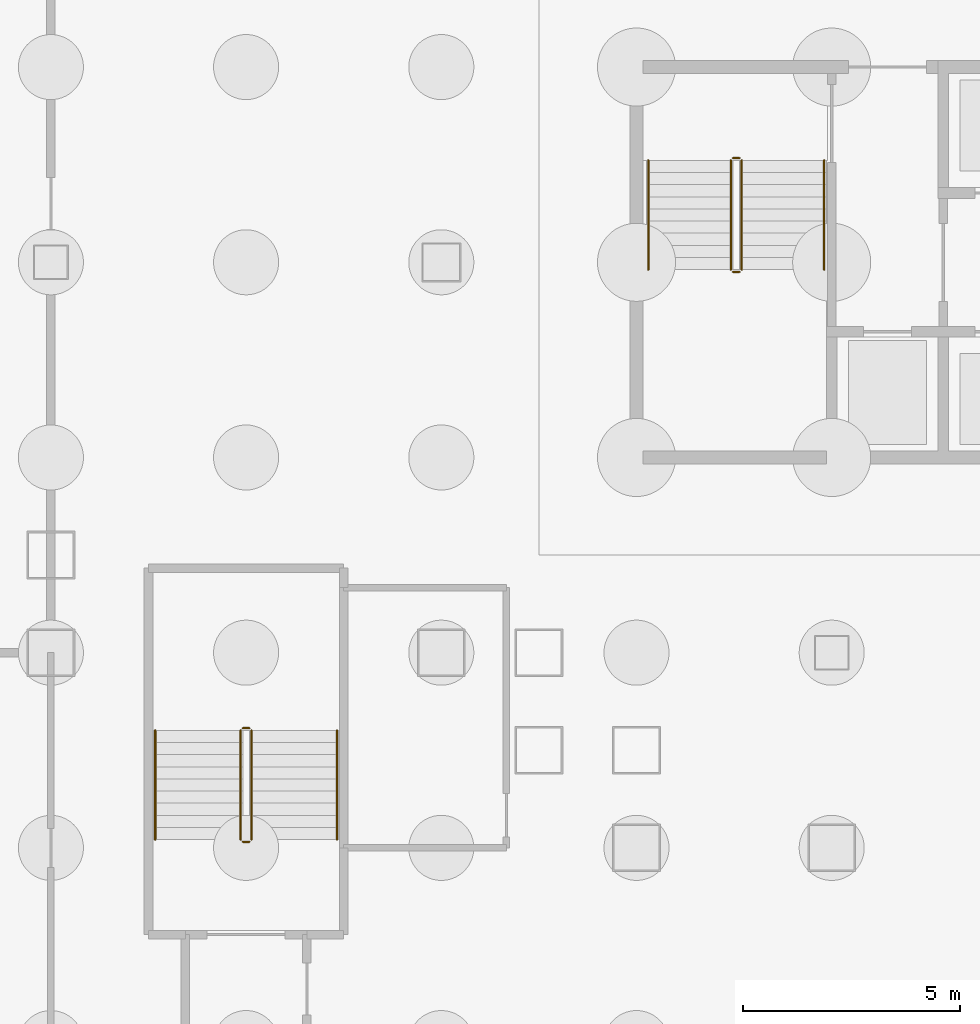
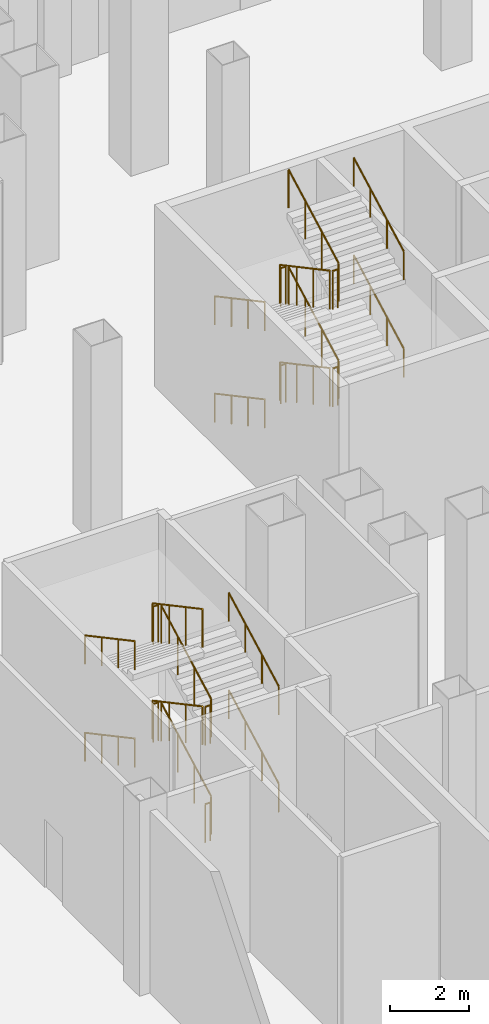
# One storey, part 20 of 25: 24 railings.
"""IFC4 building model written with IfcOpenShell, lengths in metres."""

from ifc_helpers import new_model, si_unit, direction, frame, origin, origin_2d, place, context, subcontext, project, spatial, circle, extrude, material, type_object, element, save


model = new_model("IFC4")

# Units and contexts
model_context = context("Model", 3, precision=1e-05, world=origin(), true_north=direction((0.0, 1.0)))
body_context = subcontext(model_context, "Body", "Model", "MODEL_VIEW")
ifc_project = project(units=[si_unit("LENGTHUNIT", "METRE"), si_unit("AREAUNIT", "SQUARE_METRE"), si_unit("VOLUMEUNIT", "CUBIC_METRE"), si_unit("PLANEANGLEUNIT", "RADIAN"), si_unit("MASSUNIT", "GRAM", prefix="KILO")], contexts=[model_context])

# Site, building, storey
site_placement = place(None, origin())
site = spatial("IfcSite", under=ifc_project, at=site_placement, CompositionType="ELEMENT")
building_placement = place(site_placement, origin())
building = spatial("IfcBuilding", under=site, at=building_placement, Name="Caravel Reach Hotel and Residences", CompositionType="ELEMENT")
storey_placement = place(building_placement, frame((0.0, 0.0, -6.0)))
storey = spatial("IfcBuildingStorey", under=building, at=storey_placement, Name="B1", CompositionType="ELEMENT", Elevation=-6.0)

# Railings
ifc_material_1 = material(Name="Steel balustrade with glass infill", Category="steel")
railing_type_1 = type_object("IfcRailingType", Name="Guard 1200", PredefinedType="GUARDRAIL", material=ifc_material_1)
railing_1_placement = place(storey_placement, frame((20.175048828125, 29.35009765625, 0.14990234375)))
element("IfcRailing", 1, at=railing_1_placement, inside=storey, type_object=railing_type_1, Name="B1 ST-A stair guard 1", PredefinedType="GUARDRAIL", context=body_context, shape_type="SweptSolid", body=[
    extrude(circle(Radius=0.02392578125, at=origin_2d()), frame((0.0, 0.0, 1.17578125), z_axis=(0.0, -0.881467274426, 0.472245110209), x_axis=(1.0, 0.0, 0.0)), (0.0, 0.0, 1.0), 2.85888671875),
    extrude(circle(Radius=0.02099609375, at=origin_2d()), origin(), (0.0, 0.0, 1.0), 1.15185546875),
    extrude(circle(Radius=0.02099609375, at=origin_2d()), frame((0.0, -0.840087890625, 0.449951171875)), (0.0, 0.0, 1.0), 1.15185546875),
    extrude(circle(Radius=0.02099609375, at=origin_2d()), frame((0.0, -1.679931640625, 0.900146484375)), (0.0, 0.0, 1.0), 1.15185546875),
    extrude(circle(Radius=0.02099609375, at=origin_2d()), frame((0.0, -2.52001953125, 1.35009765625)), (0.0, 0.0, 1.0), 1.15185546875),
])
railing_2_placement = place(storey_placement, frame((20.22509765625, 26.780029296875, 1.5)))
element("IfcRailing", 2, at=railing_2_placement, inside=storey, type_object=railing_type_1, Name="B1 ST-A stair guard 2", PredefinedType="GUARDRAIL", context=body_context, shape_type="SweptSolid", body=[
    extrude(circle(Radius=0.02392578125, at=origin_2d()), frame((0.0, 0.0, 1.17578125), z_axis=(1.0, 0.0, 0.0), x_axis=(0.0, 1.0, 0.0)), (0.0, 0.0, 1.0), 0.14990234375),
    extrude(circle(Radius=0.02099609375, at=origin_2d()), origin(), (0.0, 0.0, 1.0), 1.15185546875),
    extrude(circle(Radius=0.02099609375, at=origin_2d()), frame((0.14990234375, 0.0, 0.0)), (0.0, 0.0, 1.0), 1.15185546875),
])
railing_3_placement = place(storey_placement, frame((20.425048828125, 26.830078125, 1.64990234375)))
element("IfcRailing", 3, at=railing_3_placement, inside=storey, type_object=railing_type_1, Name="B1 ST-A stair guard 3", PredefinedType="GUARDRAIL", context=body_context, shape_type="SweptSolid", body=[
    extrude(circle(Radius=0.02392578125, at=origin_2d()), frame((0.0, 0.0, 1.17578125), z_axis=(0.0, 0.881467274426, 0.472245110209), x_axis=(-1.0, 0.0, 0.0)), (0.0, 0.0, 1.0), 2.85888671875),
    extrude(circle(Radius=0.02099609375, at=origin_2d()), origin(), (0.0, 0.0, 1.0), 1.15185546875),
    extrude(circle(Radius=0.02099609375, at=origin_2d()), frame((0.0, 0.840087890625, 0.449951171875)), (0.0, 0.0, 1.0), 1.15185546875),
    extrude(circle(Radius=0.02099609375, at=origin_2d()), frame((0.0, 1.679931640625, 0.900146484375)), (0.0, 0.0, 1.0), 1.15185546875),
    extrude(circle(Radius=0.02099609375, at=origin_2d()), frame((0.0, 2.52001953125, 1.35009765625)), (0.0, 0.0, 1.0), 1.15185546875),
])
railing_4_placement = place(storey_placement, frame((20.22509765625, 29.39990234375, 3.0)))
element("IfcRailing", 4, at=railing_4_placement, inside=storey, type_object=railing_type_1, Name="B1 ST-A stair guard 4", PredefinedType="GUARDRAIL", context=body_context, shape_type="SweptSolid", body=[
    extrude(circle(Radius=0.02392578125, at=origin_2d()), frame((0.0, 0.0, 1.17578125), z_axis=(1.0, 0.0, 0.0), x_axis=(0.0, 1.0, 0.0)), (0.0, 0.0, 1.0), 0.14990234375),
    extrude(circle(Radius=0.02099609375, at=origin_2d()), origin(), (0.0, 0.0, 1.0), 1.15185546875),
    extrude(circle(Radius=0.02099609375, at=origin_2d()), frame((0.14990234375, 0.0, 0.0)), (0.0, 0.0, 1.0), 1.15185546875),
])
railing_5_placement = place(storey_placement, frame((20.175048828125, 29.35009765625, 3.14990234375)))
element("IfcRailing", 5, at=railing_5_placement, inside=storey, type_object=railing_type_1, Name="B1 ST-A stair guard 5", PredefinedType="GUARDRAIL", context=body_context, shape_type="SweptSolid", body=[
    extrude(circle(Radius=0.02392578125, at=origin_2d()), frame((0.0, 0.0, 1.17578125), z_axis=(0.0, -0.881467274426, 0.472245110209), x_axis=(1.0, 0.0, 0.0)), (0.0, 0.0, 1.0), 2.85888671875),
    extrude(circle(Radius=0.02099609375, at=origin_2d()), origin(), (0.0, 0.0, 1.0), 1.15185546875),
    extrude(circle(Radius=0.02099609375, at=origin_2d()), frame((0.0, -0.840087890625, 0.449951171875)), (0.0, 0.0, 1.0), 1.15185546875),
    extrude(circle(Radius=0.02099609375, at=origin_2d()), frame((0.0, -1.679931640625, 0.900146484375)), (0.0, 0.0, 1.0), 1.15185546875),
    extrude(circle(Radius=0.02099609375, at=origin_2d()), frame((0.0, -2.52001953125, 1.35009765625)), (0.0, 0.0, 1.0), 1.15185546875),
])
railing_6_placement = place(storey_placement, frame((20.22509765625, 26.780029296875, 4.5)))
element("IfcRailing", 6, at=railing_6_placement, inside=storey, type_object=railing_type_1, Name="B1 ST-A stair guard 6", PredefinedType="GUARDRAIL", context=body_context, shape_type="SweptSolid", body=[
    extrude(circle(Radius=0.02392578125, at=origin_2d()), frame((0.0, 0.0, 1.17578125), z_axis=(1.0, 0.0, 0.0), x_axis=(0.0, 1.0, 0.0)), (0.0, 0.0, 1.0), 0.14990234375),
    extrude(circle(Radius=0.02099609375, at=origin_2d()), origin(), (0.0, 0.0, 1.0), 1.15185546875),
    extrude(circle(Radius=0.02099609375, at=origin_2d()), frame((0.14990234375, 0.0, 0.0)), (0.0, 0.0, 1.0), 1.15185546875),
])
railing_7_placement = place(storey_placement, frame((20.425048828125, 26.830078125, 4.64990234375)))
element("IfcRailing", 7, at=railing_7_placement, inside=storey, type_object=railing_type_1, Name="B1 ST-A stair guard 7", PredefinedType="GUARDRAIL", context=body_context, shape_type="SweptSolid", body=[
    extrude(circle(Radius=0.02392578125, at=origin_2d()), frame((0.0, 0.0, 1.17578125), z_axis=(0.0, 0.881467274426, 0.472245110209), x_axis=(-1.0, 0.0, 0.0)), (0.0, 0.0, 1.0), 2.85888671875),
    extrude(circle(Radius=0.02099609375, at=origin_2d()), origin(), (0.0, 0.0, 1.0), 1.15185546875),
    extrude(circle(Radius=0.02099609375, at=origin_2d()), frame((0.0, 0.840087890625, 0.449951171875)), (0.0, 0.0, 1.0), 1.15185546875),
    extrude(circle(Radius=0.02099609375, at=origin_2d()), frame((0.0, 1.679931640625, 0.900146484375)), (0.0, 0.0, 1.0), 1.15185546875),
    extrude(circle(Radius=0.02099609375, at=origin_2d()), frame((0.0, 2.52001953125, 1.35009765625)), (0.0, 0.0, 1.0), 1.15185546875),
])
railing_8_placement = place(storey_placement, frame((20.22509765625, 29.39990234375, 0.0)))
element("IfcRailing", 8, at=railing_8_placement, inside=storey, type_object=railing_type_1, Name="B1 ST-A stair guard 8", PredefinedType="GUARDRAIL", context=body_context, shape_type="SweptSolid", body=[
    extrude(circle(Radius=0.02392578125, at=origin_2d()), frame((0.0, 0.0, 1.17578125), z_axis=(1.0, 0.0, 0.0), x_axis=(0.0, 1.0, 0.0)), (0.0, 0.0, 1.0), 0.14990234375),
    extrude(circle(Radius=0.02099609375, at=origin_2d()), origin(), (0.0, 0.0, 1.0), 1.15185546875),
    extrude(circle(Radius=0.02099609375, at=origin_2d()), frame((0.14990234375, 0.0, 0.0)), (0.0, 0.0, 1.0), 1.15185546875),
])
railing_9_placement = place(storey_placement, frame((9.125, 13.68994140625, 0.14990234375)))
element("IfcRailing", 9, at=railing_9_placement, inside=storey, type_object=railing_type_1, Name="B1 ST-P3 stair guard 1", PredefinedType="GUARDRAIL", context=body_context, shape_type="SweptSolid", body=[
    extrude(circle(Radius=0.02392578125, at=origin_2d()), frame((0.0, 0.0, 1.17578125), z_axis=(0.0, 0.881467274426, 0.472245110209), x_axis=(-1.0, 0.0, 0.0)), (0.0, 0.0, 1.0), 2.85888671875),
    extrude(circle(Radius=0.02099609375, at=origin_2d()), origin(), (0.0, 0.0, 1.0), 1.15185546875),
    extrude(circle(Radius=0.02099609375, at=origin_2d()), frame((0.0, 0.840087890625, 0.449951171875)), (0.0, 0.0, 1.0), 1.15185546875),
    extrude(circle(Radius=0.02099609375, at=origin_2d()), frame((0.0, 1.679931640625, 0.900146484375)), (0.0, 0.0, 1.0), 1.15185546875),
    extrude(circle(Radius=0.02099609375, at=origin_2d()), frame((0.0, 2.52001953125, 1.35009765625)), (0.0, 0.0, 1.0), 1.15185546875),
])
railing_10_placement = place(storey_placement, frame((9.074951171875, 16.260009765625, 1.5)))
element("IfcRailing", 10, at=railing_10_placement, inside=storey, type_object=railing_type_1, Name="B1 ST-P3 stair guard 2", PredefinedType="GUARDRAIL", context=body_context, shape_type="SweptSolid", body=[
    extrude(circle(Radius=0.02392578125, at=origin_2d()), frame((0.0, 0.0, 1.17578125), z_axis=(-1.0, 0.0, 0.0), x_axis=(0.0, -1.0, 0.0)), (0.0, 0.0, 1.0), 0.14990234375),
    extrude(circle(Radius=0.02099609375, at=origin_2d()), origin(), (0.0, 0.0, 1.0), 1.15185546875),
    extrude(circle(Radius=0.02099609375, at=origin_2d()), frame((-0.14990234375, 0.0, 0.0)), (0.0, 0.0, 1.0), 1.15185546875),
])
railing_11_placement = place(storey_placement, frame((8.875, 16.2099609375, 1.64990234375)))
element("IfcRailing", 11, at=railing_11_placement, inside=storey, type_object=railing_type_1, Name="B1 ST-P3 stair guard 3", PredefinedType="GUARDRAIL", context=body_context, shape_type="SweptSolid", body=[
    extrude(circle(Radius=0.02392578125, at=origin_2d()), frame((0.0, 0.0, 1.17578125), z_axis=(0.0, -0.881467274426, 0.472245110209), x_axis=(1.0, 0.0, 0.0)), (0.0, 0.0, 1.0), 2.85888671875),
    extrude(circle(Radius=0.02099609375, at=origin_2d()), origin(), (0.0, 0.0, 1.0), 1.15185546875),
    extrude(circle(Radius=0.02099609375, at=origin_2d()), frame((0.0, -0.840087890625, 0.449951171875)), (0.0, 0.0, 1.0), 1.15185546875),
    extrude(circle(Radius=0.02099609375, at=origin_2d()), frame((0.0, -1.679931640625, 0.900146484375)), (0.0, 0.0, 1.0), 1.15185546875),
    extrude(circle(Radius=0.02099609375, at=origin_2d()), frame((0.0, -2.52001953125, 1.35009765625)), (0.0, 0.0, 1.0), 1.15185546875),
])
railing_12_placement = place(storey_placement, frame((9.074951171875, 13.639892578125, 3.0)))
element("IfcRailing", 12, at=railing_12_placement, inside=storey, type_object=railing_type_1, Name="B1 ST-P3 stair guard 4", PredefinedType="GUARDRAIL", context=body_context, shape_type="SweptSolid", body=[
    extrude(circle(Radius=0.02392578125, at=origin_2d()), frame((0.0, 0.0, 1.17578125), z_axis=(-1.0, 0.0, 0.0), x_axis=(0.0, -1.0, 0.0)), (0.0, 0.0, 1.0), 0.14990234375),
    extrude(circle(Radius=0.02099609375, at=origin_2d()), origin(), (0.0, 0.0, 1.0), 1.15185546875),
    extrude(circle(Radius=0.02099609375, at=origin_2d()), frame((-0.14990234375, 0.0, 0.0)), (0.0, 0.0, 1.0), 1.15185546875),
])
railing_13_placement = place(storey_placement, frame((9.125, 13.68994140625, 3.14990234375)))
element("IfcRailing", 13, at=railing_13_placement, inside=storey, type_object=railing_type_1, Name="B1 ST-P3 stair guard 5", PredefinedType="GUARDRAIL", context=body_context, shape_type="SweptSolid", body=[
    extrude(circle(Radius=0.02392578125, at=origin_2d()), frame((0.0, 0.0, 1.17578125), z_axis=(0.0, 0.881467274426, 0.472245110209), x_axis=(-1.0, 0.0, 0.0)), (0.0, 0.0, 1.0), 2.85888671875),
    extrude(circle(Radius=0.02099609375, at=origin_2d()), origin(), (0.0, 0.0, 1.0), 1.15185546875),
    extrude(circle(Radius=0.02099609375, at=origin_2d()), frame((0.0, 0.840087890625, 0.449951171875)), (0.0, 0.0, 1.0), 1.15185546875),
    extrude(circle(Radius=0.02099609375, at=origin_2d()), frame((0.0, 1.679931640625, 0.900146484375)), (0.0, 0.0, 1.0), 1.15185546875),
    extrude(circle(Radius=0.02099609375, at=origin_2d()), frame((0.0, 2.52001953125, 1.35009765625)), (0.0, 0.0, 1.0), 1.15185546875),
])
railing_14_placement = place(storey_placement, frame((9.074951171875, 16.260009765625, 4.5)))
element("IfcRailing", 14, at=railing_14_placement, inside=storey, type_object=railing_type_1, Name="B1 ST-P3 stair guard 6", PredefinedType="GUARDRAIL", context=body_context, shape_type="SweptSolid", body=[
    extrude(circle(Radius=0.02392578125, at=origin_2d()), frame((0.0, 0.0, 1.17578125), z_axis=(-1.0, 0.0, 0.0), x_axis=(0.0, -1.0, 0.0)), (0.0, 0.0, 1.0), 0.14990234375),
    extrude(circle(Radius=0.02099609375, at=origin_2d()), origin(), (0.0, 0.0, 1.0), 1.15185546875),
    extrude(circle(Radius=0.02099609375, at=origin_2d()), frame((-0.14990234375, 0.0, 0.0)), (0.0, 0.0, 1.0), 1.15185546875),
])
railing_15_placement = place(storey_placement, frame((8.875, 16.2099609375, 4.64990234375)))
element("IfcRailing", 15, at=railing_15_placement, inside=storey, type_object=railing_type_1, Name="B1 ST-P3 stair guard 7", PredefinedType="GUARDRAIL", context=body_context, shape_type="SweptSolid", body=[
    extrude(circle(Radius=0.02392578125, at=origin_2d()), frame((0.0, 0.0, 1.17578125), z_axis=(0.0, -0.881467274426, 0.472245110209), x_axis=(1.0, 0.0, 0.0)), (0.0, 0.0, 1.0), 2.85888671875),
    extrude(circle(Radius=0.02099609375, at=origin_2d()), origin(), (0.0, 0.0, 1.0), 1.15185546875),
    extrude(circle(Radius=0.02099609375, at=origin_2d()), frame((0.0, -0.840087890625, 0.449951171875)), (0.0, 0.0, 1.0), 1.15185546875),
    extrude(circle(Radius=0.02099609375, at=origin_2d()), frame((0.0, -1.679931640625, 0.900146484375)), (0.0, 0.0, 1.0), 1.15185546875),
    extrude(circle(Radius=0.02099609375, at=origin_2d()), frame((0.0, -2.52001953125, 1.35009765625)), (0.0, 0.0, 1.0), 1.15185546875),
])
railing_16_placement = place(storey_placement, frame((9.074951171875, 13.639892578125, 0.0)))
element("IfcRailing", 16, at=railing_16_placement, inside=storey, type_object=railing_type_1, Name="B1 ST-P3 stair guard 8", PredefinedType="GUARDRAIL", context=body_context, shape_type="SweptSolid", body=[
    extrude(circle(Radius=0.02392578125, at=origin_2d()), frame((0.0, 0.0, 1.17578125), z_axis=(-1.0, 0.0, 0.0), x_axis=(0.0, -1.0, 0.0)), (0.0, 0.0, 1.0), 0.14990234375),
    extrude(circle(Radius=0.02099609375, at=origin_2d()), origin(), (0.0, 0.0, 1.0), 1.15185546875),
    extrude(circle(Radius=0.02099609375, at=origin_2d()), frame((-0.14990234375, 0.0, 0.0)), (0.0, 0.0, 1.0), 1.15185546875),
])
ifc_material_2 = material(Name="Stainless steel handrail", Category="steel")
railing_type_2 = type_object("IfcRailingType", Name="Handrail 900", PredefinedType="HANDRAIL", material=ifc_material_2)
railing_17_placement = place(storey_placement, frame((18.27490234375, 29.35009765625, 0.14990234375)))
element("IfcRailing", 17, at=railing_17_placement, inside=storey, type_object=railing_type_2, Name="B1 ST-A stair handrail 1", PredefinedType="HANDRAIL", context=body_context, shape_type="SweptSolid", body=[
    extrude(circle(Radius=0.02392578125, at=origin_2d()), frame((0.0, 0.0, 0.8759765625), z_axis=(0.0, -0.881467274426, 0.472245110209), x_axis=(1.0, 0.0, 0.0)), (0.0, 0.0, 1.0), 2.85888671875),
    extrude(circle(Radius=0.02099609375, at=origin_2d()), origin(), (0.0, 0.0, 1.0), 0.851806640625),
    extrude(circle(Radius=0.02099609375, at=origin_2d()), frame((0.0, -0.840087890625, 0.449951171875)), (0.0, 0.0, 1.0), 0.851806640625),
    extrude(circle(Radius=0.02099609375, at=origin_2d()), frame((0.0, -1.679931640625, 0.900146484375)), (0.0, 0.0, 1.0), 0.851806640625),
    extrude(circle(Radius=0.02099609375, at=origin_2d()), frame((0.0, -2.52001953125, 1.35009765625)), (0.0, 0.0, 1.0), 0.851806640625),
])
railing_18_placement = place(storey_placement, frame((22.324951171875, 26.830078125, 1.64990234375)))
element("IfcRailing", 18, at=railing_18_placement, inside=storey, type_object=railing_type_2, Name="B1 ST-A stair handrail 2", PredefinedType="HANDRAIL", context=body_context, shape_type="SweptSolid", body=[
    extrude(circle(Radius=0.02392578125, at=origin_2d()), frame((0.0, 0.0, 0.8759765625), z_axis=(0.0, 0.881467274426, 0.472245110209), x_axis=(-1.0, 0.0, 0.0)), (0.0, 0.0, 1.0), 2.85888671875),
    extrude(circle(Radius=0.02099609375, at=origin_2d()), origin(), (0.0, 0.0, 1.0), 0.851806640625),
    extrude(circle(Radius=0.02099609375, at=origin_2d()), frame((0.0, 0.840087890625, 0.449951171875)), (0.0, 0.0, 1.0), 0.851806640625),
    extrude(circle(Radius=0.02099609375, at=origin_2d()), frame((0.0, 1.679931640625, 0.900146484375)), (0.0, 0.0, 1.0), 0.851806640625),
    extrude(circle(Radius=0.02099609375, at=origin_2d()), frame((0.0, 2.52001953125, 1.35009765625)), (0.0, 0.0, 1.0), 0.851806640625),
])
railing_19_placement = place(storey_placement, frame((18.27490234375, 29.35009765625, 3.14990234375)))
element("IfcRailing", 19, at=railing_19_placement, inside=storey, type_object=railing_type_2, Name="B1 ST-A stair handrail 3", PredefinedType="HANDRAIL", context=body_context, shape_type="SweptSolid", body=[
    extrude(circle(Radius=0.02392578125, at=origin_2d()), frame((0.0, 0.0, 0.8759765625), z_axis=(0.0, -0.881467274426, 0.472245110209), x_axis=(1.0, 0.0, 0.0)), (0.0, 0.0, 1.0), 2.85888671875),
    extrude(circle(Radius=0.02099609375, at=origin_2d()), origin(), (0.0, 0.0, 1.0), 0.851806640625),
    extrude(circle(Radius=0.02099609375, at=origin_2d()), frame((0.0, -0.840087890625, 0.449951171875)), (0.0, 0.0, 1.0), 0.851806640625),
    extrude(circle(Radius=0.02099609375, at=origin_2d()), frame((0.0, -1.679931640625, 0.900146484375)), (0.0, 0.0, 1.0), 0.851806640625),
    extrude(circle(Radius=0.02099609375, at=origin_2d()), frame((0.0, -2.52001953125, 1.35009765625)), (0.0, 0.0, 1.0), 0.851806640625),
])
for number, where, name in (
    (20, (22.324951171875, 26.830078125, 4.64990234375), "B1 ST-A stair handrail 4"),
    (21, (11.094970703125, 13.68994140625, 0.14990234375), "B1 ST-P3 stair handrail 1"),
):
    element("IfcRailing", number, at=place(storey_placement, frame(where)), inside=storey, type_object=railing_type_2, Name=name, PredefinedType="HANDRAIL", context=body_context, shape_type="SweptSolid", body=[
        extrude(circle(Radius=0.02392578125, at=origin_2d()), frame((0.0, 0.0, 0.8759765625), z_axis=(0.0, 0.881467274426, 0.472245110209), x_axis=(-1.0, 0.0, 0.0)), (0.0, 0.0, 1.0), 2.85888671875),
        extrude(circle(Radius=0.02099609375, at=origin_2d()), origin(), (0.0, 0.0, 1.0), 0.851806640625),
        extrude(circle(Radius=0.02099609375, at=origin_2d()), frame((0.0, 0.840087890625, 0.449951171875)), (0.0, 0.0, 1.0), 0.851806640625),
        extrude(circle(Radius=0.02099609375, at=origin_2d()), frame((0.0, 1.679931640625, 0.900146484375)), (0.0, 0.0, 1.0), 0.851806640625),
        extrude(circle(Radius=0.02099609375, at=origin_2d()), frame((0.0, 2.52001953125, 1.35009765625)), (0.0, 0.0, 1.0), 0.851806640625),
    ])
railing_20_placement = place(storey_placement, frame((6.905029296875, 16.2099609375, 1.64990234375)))
element("IfcRailing", 22, at=railing_20_placement, inside=storey, type_object=railing_type_2, Name="B1 ST-P3 stair handrail 2", PredefinedType="HANDRAIL", context=body_context, shape_type="SweptSolid", body=[
    extrude(circle(Radius=0.02392578125, at=origin_2d()), frame((0.0, 0.0, 0.8759765625), z_axis=(0.0, -0.881467274426, 0.472245110209), x_axis=(1.0, 0.0, 0.0)), (0.0, 0.0, 1.0), 2.85888671875),
    extrude(circle(Radius=0.02099609375, at=origin_2d()), origin(), (0.0, 0.0, 1.0), 0.851806640625),
    extrude(circle(Radius=0.02099609375, at=origin_2d()), frame((0.0, -0.840087890625, 0.449951171875)), (0.0, 0.0, 1.0), 0.851806640625),
    extrude(circle(Radius=0.02099609375, at=origin_2d()), frame((0.0, -1.679931640625, 0.900146484375)), (0.0, 0.0, 1.0), 0.851806640625),
    extrude(circle(Radius=0.02099609375, at=origin_2d()), frame((0.0, -2.52001953125, 1.35009765625)), (0.0, 0.0, 1.0), 0.851806640625),
])
railing_21_placement = place(storey_placement, frame((11.094970703125, 13.68994140625, 3.14990234375)))
element("IfcRailing", 23, at=railing_21_placement, inside=storey, type_object=railing_type_2, Name="B1 ST-P3 stair handrail 3", PredefinedType="HANDRAIL", context=body_context, shape_type="SweptSolid", body=[
    extrude(circle(Radius=0.02392578125, at=origin_2d()), frame((0.0, 0.0, 0.8759765625), z_axis=(0.0, 0.881467274426, 0.472245110209), x_axis=(-1.0, 0.0, 0.0)), (0.0, 0.0, 1.0), 2.85888671875),
    extrude(circle(Radius=0.02099609375, at=origin_2d()), origin(), (0.0, 0.0, 1.0), 0.851806640625),
    extrude(circle(Radius=0.02099609375, at=origin_2d()), frame((0.0, 0.840087890625, 0.449951171875)), (0.0, 0.0, 1.0), 0.851806640625),
    extrude(circle(Radius=0.02099609375, at=origin_2d()), frame((0.0, 1.679931640625, 0.900146484375)), (0.0, 0.0, 1.0), 0.851806640625),
    extrude(circle(Radius=0.02099609375, at=origin_2d()), frame((0.0, 2.52001953125, 1.35009765625)), (0.0, 0.0, 1.0), 0.851806640625),
])
railing_22_placement = place(storey_placement, frame((6.905029296875, 16.2099609375, 4.64990234375)))
element("IfcRailing", 24, at=railing_22_placement, inside=storey, type_object=railing_type_2, Name="B1 ST-P3 stair handrail 4", PredefinedType="HANDRAIL", context=body_context, shape_type="SweptSolid", body=[
    extrude(circle(Radius=0.02392578125, at=origin_2d()), frame((0.0, 0.0, 0.8759765625), z_axis=(0.0, -0.881467274426, 0.472245110209), x_axis=(1.0, 0.0, 0.0)), (0.0, 0.0, 1.0), 2.85888671875),
    extrude(circle(Radius=0.02099609375, at=origin_2d()), origin(), (0.0, 0.0, 1.0), 0.851806640625),
    extrude(circle(Radius=0.02099609375, at=origin_2d()), frame((0.0, -0.840087890625, 0.449951171875)), (0.0, 0.0, 1.0), 0.851806640625),
    extrude(circle(Radius=0.02099609375, at=origin_2d()), frame((0.0, -1.679931640625, 0.900146484375)), (0.0, 0.0, 1.0), 0.851806640625),
    extrude(circle(Radius=0.02099609375, at=origin_2d()), frame((0.0, -2.52001953125, 1.35009765625)), (0.0, 0.0, 1.0), 0.851806640625),
])

save(model, "model.ifc")
